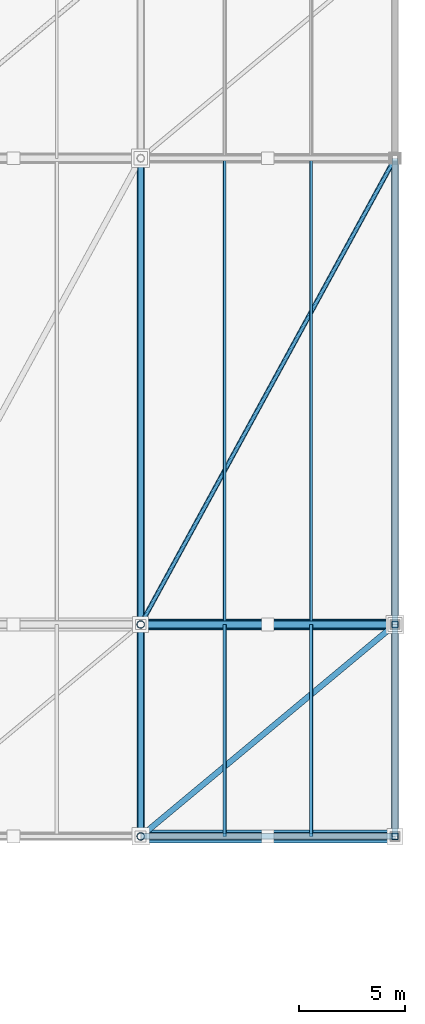
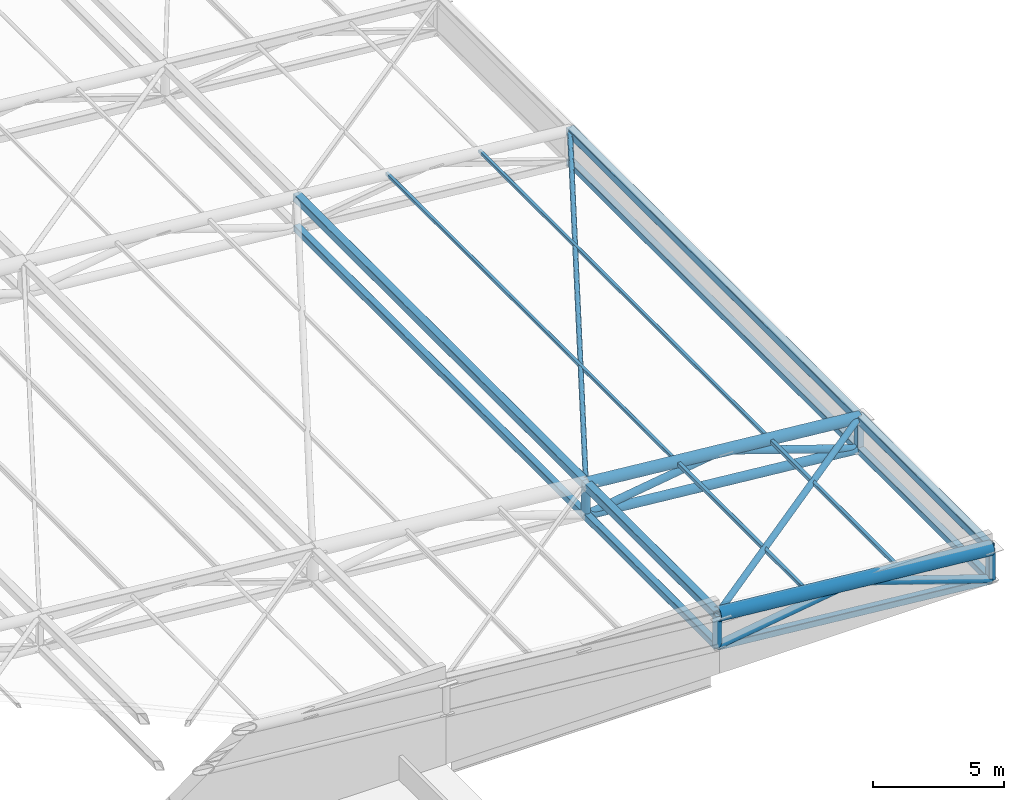
# One storey, part 20 of 44: 26 members.
"""IFC4 building model written with IfcOpenShell, lengths in metres."""

from ifc_helpers import new_model, si_unit, direction, frame, origin, origin_2d, place, context, subcontext, project, spatial, hollow_rectangle, hollow_circle, extrude, material, material_profile, profile_set, type_object, element, save


model = new_model("IFC4")

# Units and contexts
model_context = context("Model", 3, precision=1e-05, world=origin(), true_north=direction((0.0, 1.0)))
body_context = subcontext(model_context, "Body", "Model", "MODEL_VIEW")
ifc_project = project(units=[si_unit("LENGTHUNIT", "METRE"), si_unit("AREAUNIT", "SQUARE_METRE"), si_unit("VOLUMEUNIT", "CUBIC_METRE"), si_unit("PLANEANGLEUNIT", "RADIAN"), si_unit("MASSUNIT", "GRAM", prefix="KILO")], contexts=[model_context])

# Site, building, storey
site_placement = place(None, origin())
site = spatial("IfcSite", under=ifc_project, at=site_placement, CompositionType="ELEMENT")
building_placement = place(site_placement, origin())
building = spatial("IfcBuilding", under=site, at=building_placement, Name="Brinegate Civic Arena", CompositionType="ELEMENT")
storey_placement = place(building_placement, frame((0.0, 0.0, 29.39990234375)))
storey = spatial("IfcBuildingStorey", under=building, at=storey_placement, Name="RF", CompositionType="ELEMENT", Elevation=29.39990234375)

# Members
ifc_material = material(Name="Steel S355", Category="steel")
ifc_material_profile_1 = material_profile(ifc_material, hollow_rectangle(XDim=0.139892578125, YDim=0.139892578125, WallThickness=0.008056640625, InnerFilletRadius=0.008056640625, OuterFilletRadius=0.01611328125, at=origin_2d()), Name="SHS140X8")
ifc_profile_set_1 = profile_set([ifc_material_profile_1], Name="Steel S355")
member_type_1 = type_object("IfcMemberType", Name="RF-PURLIN-SHS140", PredefinedType="PURLIN", material=ifc_profile_set_1)
for number, where, z_axis, x_axis, name in (
    (1, (147.9599609375, 20.0, 2.34912109375), (0.0, 1.0, 0.0), (-1.0, 0.0, 0.0), "Roof Purlin RFP-035"),
    (2, (152.0400390625, 20.0, 1.966064453125), (0.0, 1.0, 0.0), (-1.0, 0.0, 0.0), "Roof Purlin RFP-036"),
):
    element("IfcMember", number, at=place(storey_placement, frame(where, z_axis=z_axis, x_axis=x_axis)), inside=storey, type_object=member_type_1, Name=name, PredefinedType="PURLIN", context=body_context, shape_type="SweptSolid", body=[
        extrude(hollow_rectangle(XDim=0.139892578125, YDim=0.139892578125, WallThickness=0.008056640625, InnerFilletRadius=0.008056640625, OuterFilletRadius=0.01611328125, at=origin_2d()), origin(), (0.0, 0.0, 1.0), 22.0),
    ])
ifc_material_profile_2 = material_profile(ifc_material, hollow_rectangle(XDim=0.159912109375, YDim=0.159912109375, WallThickness=0.008056640625, InnerFilletRadius=0.008056640625, OuterFilletRadius=0.01611328125, at=origin_2d()), Name="SHS160X8")
ifc_profile_set_2 = profile_set([ifc_material_profile_2], Name="Steel S355")
member_type_2 = type_object("IfcMemberType", Name="RF-PURLIN-SHS160", PredefinedType="PURLIN", material=ifc_profile_set_2)
for number, where, z_axis, x_axis, name in (
    (3, (147.9599609375, 10.0, 2.339111328125), (0.0, 1.0, 0.0), (-1.0, 0.0, 0.0), "Roof Purlin RFP-017"),
    (4, (152.0400390625, 10.0, 1.9560546875), (0.0, 1.0, 0.0), (-1.0, 0.0, 0.0), "Roof Purlin RFP-018"),
):
    element("IfcMember", number, at=place(storey_placement, frame(where, z_axis=z_axis, x_axis=x_axis)), inside=storey, type_object=member_type_2, Name=name, PredefinedType="PURLIN", context=body_context, shape_type="SweptSolid", body=[
        extrude(hollow_rectangle(XDim=0.159912109375, YDim=0.159912109375, WallThickness=0.008056640625, InnerFilletRadius=0.008056640625, OuterFilletRadius=0.01611328125, at=origin_2d()), origin(), (0.0, 0.0, 1.0), 10.0),
    ])
ifc_material_profile_3 = material_profile(ifc_material, hollow_circle(Radius=0.109619140625, WallThickness=0.010009765625, at=origin_2d()), Name="CHS219X10")
ifc_profile_set_3 = profile_set([ifc_material_profile_3], Name="Steel S355")
member_type_3 = type_object("IfcMemberType", Name="SF-BRACE-CHS219", PredefinedType="BRACE", material=ifc_profile_set_3)
member_1_placement = place(storey_placement, frame((144.0, 20.0, 2.675048828125), z_axis=(0.478370337109, 0.877012284699, -0.044847219104), x_axis=(-0.877895572914, 0.478852130681, 0.0)))
element("IfcMember", 5, at=member_1_placement, inside=storey, type_object=member_type_3, Name="Roof Plan Diagonal Brace PL-2-9", PredefinedType="BRACE", context=body_context, shape_type="SweptSolid", body=[
    extrude(hollow_circle(Radius=0.109619140625, WallThickness=0.010009765625, at=origin_2d()), origin(), (0.0, 0.0, 1.0), 25.085205078125),
])
ifc_material_profile_4 = material_profile(ifc_material, hollow_circle(Radius=0.136474609375, WallThickness=0.011962890625, at=origin_2d()), Name="CHS273X12")
ifc_profile_set_4 = profile_set([ifc_material_profile_4], Name="Steel S355")
member_type_4 = type_object("IfcMemberType", Name="SF-BRACE-CHS273", PredefinedType="BRACE", material=ifc_profile_set_4)
member_2_placement = place(storey_placement, frame((144.0, 10.0, 2.675048828125), z_axis=(0.766236619907, 0.638530516589, -0.071834683116), x_axis=(-0.640184399664, 0.768221279597, 0.0)))
element("IfcMember", 6, at=member_2_placement, inside=storey, type_object=member_type_4, Name="Roof Plan Diagonal Brace PL-1-9", PredefinedType="BRACE", context=body_context, shape_type="SweptSolid", body=[
    extrude(hollow_circle(Radius=0.136474609375, WallThickness=0.011962890625, at=origin_2d()), origin(), (0.0, 0.0, 1.0), 15.660888671875),
])
ifc_material_profile_5 = material_profile(ifc_material, hollow_circle(Radius=0.162109375, WallThickness=0.011962890625, at=origin_2d()), Name="CHS324X12")
ifc_profile_set_5 = profile_set([ifc_material_profile_5], Name="Steel S355")
member_type_5 = type_object("IfcMemberType", Name="SF-BRACE-CHS324", PredefinedType="BRACE", material=ifc_profile_set_5)
member_3_placement = place(storey_placement, frame((144.0, 20.0, 1.22509765625), z_axis=(0.989226142737, 0.0, 0.1463954867), x_axis=(0.0, 1.0, 0.0)))
element("IfcMember", 7, at=member_3_placement, inside=storey, type_object=member_type_5, Name="Space Frame Web Brace D1-2-9", PredefinedType="BRACE", context=body_context, shape_type="SweptSolid", body=[
    extrude(hollow_circle(Radius=0.162109375, WallThickness=0.011962890625, at=origin_2d()), origin(), (0.0, 0.0, 1.0), 6.0654296875),
])
member_4_placement = place(storey_placement, frame((150.0, 20.0, 2.113037109375), z_axis=(0.948068139281, 0.0, -0.318067293635), x_axis=(0.0, 1.0, 0.0)))
element("IfcMember", 8, at=member_4_placement, inside=storey, type_object=member_type_5, Name="Space Frame Web Brace D2-2-9", PredefinedType="BRACE", context=body_context, shape_type="SweptSolid", body=[
    extrude(hollow_circle(Radius=0.162109375, WallThickness=0.011962890625, at=origin_2d()), origin(), (0.0, 0.0, 1.0), 6.32861328125),
])
ifc_material_profile_6 = material_profile(ifc_material, hollow_circle(Radius=0.177978515625, WallThickness=0.013916015625, at=origin_2d()), Name="CHS356X14")
ifc_profile_set_6 = profile_set([ifc_material_profile_6], Name="Steel S355")
member_type_6 = type_object("IfcMemberType", Name="SF-BRACE-CHS356", PredefinedType="BRACE", material=ifc_profile_set_6)
member_5_placement = place(storey_placement, frame((144.0, 10.0, 1.22509765625), z_axis=(0.989226142737, 0.0, 0.1463954867), x_axis=(0.0, 1.0, 0.0)))
element("IfcMember", 9, at=member_5_placement, inside=storey, type_object=member_type_6, Name="Space Frame Web Brace D1-1-9", PredefinedType="BRACE", context=body_context, shape_type="SweptSolid", body=[
    extrude(hollow_circle(Radius=0.177978515625, WallThickness=0.013916015625, at=origin_2d()), origin(), (0.0, 0.0, 1.0), 6.0654296875),
])
member_6_placement = place(storey_placement, frame((150.0, 10.0, 2.113037109375), z_axis=(0.948068139281, 0.0, -0.318067293635), x_axis=(0.0, 1.0, 0.0)))
element("IfcMember", 10, at=member_6_placement, inside=storey, type_object=member_type_6, Name="Space Frame Web Brace D2-1-9", PredefinedType="BRACE", context=body_context, shape_type="SweptSolid", body=[
    extrude(hollow_circle(Radius=0.177978515625, WallThickness=0.013916015625, at=origin_2d()), origin(), (0.0, 0.0, 1.0), 6.32861328125),
])
ifc_material_profile_7 = material_profile(ifc_material, hollow_circle(Radius=0.202880859375, WallThickness=0.01611328125, at=origin_2d()), Name="CHS406X16")
ifc_profile_set_7 = profile_set([ifc_material_profile_7], Name="Steel S355")
member_type_7 = type_object("IfcMemberType", Name="SF-CHORD-CHS406", PredefinedType="CHORD", material=ifc_profile_set_7)
member_7_placement = place(storey_placement, frame((144.0, 20.0, 1.22509765625), z_axis=(0.995634226059, 0.0, -0.093340708693), x_axis=(0.0, 1.0, 0.0)))
element("IfcMember", 11, at=member_7_placement, inside=storey, type_object=member_type_7, Name="Space Frame Bottom Chord BX-2-9", PredefinedType="CHORD", context=body_context, shape_type="SweptSolid", body=[
    extrude(hollow_circle(Radius=0.202880859375, WallThickness=0.01611328125, at=origin_2d()), origin(), (0.0, 0.0, 1.0), 12.052734375),
])
ifc_material_profile_8 = material_profile(ifc_material, hollow_circle(Radius=0.25390625, WallThickness=0.02001953125, at=origin_2d()), Name="CHS508X20")
ifc_profile_set_8 = profile_set([ifc_material_profile_8], Name="Steel S355")
member_type_8 = type_object("IfcMemberType", Name="SF-CHORD-CHS508", PredefinedType="CHORD", material=ifc_profile_set_8)
member_8_placement = place(storey_placement, frame((144.0, 20.0, 2.675048828125), z_axis=(0.995634226059, 0.0, -0.093340708693), x_axis=(0.0, 1.0, 0.0)))
element("IfcMember", 12, at=member_8_placement, inside=storey, type_object=member_type_8, Name="Space Frame Top Chord TX-2-9", PredefinedType="CHORD", context=body_context, shape_type="SweptSolid", body=[
    extrude(hollow_circle(Radius=0.25390625, WallThickness=0.02001953125, at=origin_2d()), origin(), (0.0, 0.0, 1.0), 12.052734375),
])
ifc_material_profile_9 = material_profile(ifc_material, hollow_circle(Radius=0.304931640625, WallThickness=0.02490234375, at=origin_2d()), Name="CHS610X25")
ifc_profile_set_9 = profile_set([ifc_material_profile_9], Name="Steel S355")
member_type_9 = type_object("IfcMemberType", Name="SF-CHORD-CHS610", PredefinedType="CHORD", material=ifc_profile_set_9)
member_9_placement = place(storey_placement, frame((144.0, 10.0, 2.675048828125), z_axis=(0.995634226059, 0.0, -0.093340708693), x_axis=(0.0, 1.0, 0.0)))
element("IfcMember", 13, at=member_9_placement, inside=storey, type_object=member_type_9, Name="Space Frame Top Chord TX-1-9", PredefinedType="CHORD", context=body_context, shape_type="SweptSolid", body=[
    extrude(hollow_circle(Radius=0.304931640625, WallThickness=0.02490234375, at=origin_2d()), origin(), (0.0, 0.0, 1.0), 12.052734375),
])
ifc_material_profile_10 = material_profile(ifc_material, hollow_rectangle(XDim=0.300048828125, YDim=0.300048828125, WallThickness=0.01611328125, InnerFilletRadius=0.01611328125, OuterFilletRadius=0.031982421875, at=origin_2d()), Name="SHS300X16")
ifc_profile_set_10 = profile_set([ifc_material_profile_10], Name="Steel S355")
member_type_10 = type_object("IfcMemberType", Name="SF-CHORD-SHS300", PredefinedType="CHORD", material=ifc_profile_set_10)
member_10_placement = place(storey_placement, frame((144.0, 10.0, 1.22509765625), z_axis=(0.995634226059, 0.0, -0.093340708693), x_axis=(0.0, 1.0, 0.0)))
element("IfcMember", 14, at=member_10_placement, inside=storey, type_object=member_type_10, Name="Space Frame Bottom Chord BX-1-9", PredefinedType="CHORD", context=body_context, shape_type="SweptSolid", body=[
    extrude(hollow_rectangle(XDim=0.300048828125, YDim=0.300048828125, WallThickness=0.01611328125, InnerFilletRadius=0.01611328125, OuterFilletRadius=0.031982421875, at=origin_2d()), origin(), (0.0, 0.0, 1.0), 12.052734375),
])
for number, where, z_axis, x_axis, name in (
    (15, (144.0, 10.0, 1.22509765625), (0.0, 1.0, 0.0), (-1.0, 0.0, 0.0), "Space Frame Cross Bottom Chord BY-1-9"),
    (16, (156.0, 10.0, 0.10009765625), (0.0, 1.0, 0.0), (-1.0, 0.0, 0.0), "Space Frame Cross Bottom Chord BY-1-10"),
):
    element("IfcMember", number, at=place(storey_placement, frame(where, z_axis=z_axis, x_axis=x_axis)), inside=storey, type_object=member_type_10, Name=name, PredefinedType="CHORD", context=body_context, shape_type="SweptSolid", body=[
        extrude(hollow_rectangle(XDim=0.300048828125, YDim=0.300048828125, WallThickness=0.01611328125, InnerFilletRadius=0.01611328125, OuterFilletRadius=0.031982421875, at=origin_2d()), origin(), (0.0, 0.0, 1.0), 10.0),
    ])
for number, where, z_axis, x_axis, name in (
    (17, (144.0, 20.0, 1.22509765625), (0.0, 1.0, 0.0), (-1.0, 0.0, 0.0), "Space Frame Cross Bottom Chord BY-2-9"),
    (18, (156.0, 20.0, 0.10009765625), (0.0, 1.0, 0.0), (-1.0, 0.0, 0.0), "Space Frame Cross Bottom Chord BY-2-10"),
):
    element("IfcMember", number, at=place(storey_placement, frame(where, z_axis=z_axis, x_axis=x_axis)), inside=storey, type_object=member_type_10, Name=name, PredefinedType="CHORD", context=body_context, shape_type="SweptSolid", body=[
        extrude(hollow_rectangle(XDim=0.300048828125, YDim=0.300048828125, WallThickness=0.01611328125, InnerFilletRadius=0.01611328125, OuterFilletRadius=0.031982421875, at=origin_2d()), origin(), (0.0, 0.0, 1.0), 22.0),
    ])
ifc_material_profile_11 = material_profile(ifc_material, hollow_rectangle(XDim=0.35009765625, YDim=0.35009765625, WallThickness=0.01611328125, InnerFilletRadius=0.01611328125, OuterFilletRadius=0.031982421875, at=origin_2d()), Name="SHS350X16")
ifc_profile_set_11 = profile_set([ifc_material_profile_11], Name="Steel S355")
member_type_11 = type_object("IfcMemberType", Name="SF-CHORD-SHS350", PredefinedType="CHORD", material=ifc_profile_set_11)
for number, where, z_axis, x_axis, name in (
    (19, (144.0, 10.0, 2.675048828125), (0.0, 1.0, 0.0), (-1.0, 0.0, 0.0), "Space Frame Cross Top Chord TY-1-9"),
    (20, (156.0, 10.0, 1.550048828125), (0.0, 1.0, 0.0), (-1.0, 0.0, 0.0), "Space Frame Cross Top Chord TY-1-10"),
):
    element("IfcMember", number, at=place(storey_placement, frame(where, z_axis=z_axis, x_axis=x_axis)), inside=storey, type_object=member_type_11, Name=name, PredefinedType="CHORD", context=body_context, shape_type="SweptSolid", body=[
        extrude(hollow_rectangle(XDim=0.35009765625, YDim=0.35009765625, WallThickness=0.01611328125, InnerFilletRadius=0.01611328125, OuterFilletRadius=0.031982421875, at=origin_2d()), origin(), (0.0, 0.0, 1.0), 10.0),
    ])
for number, where, z_axis, x_axis, name in (
    (21, (144.0, 20.0, 2.675048828125), (0.0, 1.0, 0.0), (-1.0, 0.0, 0.0), "Space Frame Cross Top Chord TY-2-9"),
    (22, (156.0, 20.0, 1.550048828125), (0.0, 1.0, 0.0), (-1.0, 0.0, 0.0), "Space Frame Cross Top Chord TY-2-10"),
):
    element("IfcMember", number, at=place(storey_placement, frame(where, z_axis=z_axis, x_axis=x_axis)), inside=storey, type_object=member_type_11, Name=name, PredefinedType="CHORD", context=body_context, shape_type="SweptSolid", body=[
        extrude(hollow_rectangle(XDim=0.35009765625, YDim=0.35009765625, WallThickness=0.01611328125, InnerFilletRadius=0.01611328125, OuterFilletRadius=0.031982421875, at=origin_2d()), origin(), (0.0, 0.0, 1.0), 22.0),
    ])
ifc_material_profile_12 = material_profile(ifc_material, hollow_circle(Radius=0.177978515625, WallThickness=0.013916015625, at=origin_2d()), Name="CHS356X14")
ifc_profile_set_12 = profile_set([ifc_material_profile_12], Name="Steel S355")
member_type_12 = type_object("IfcMemberType", Name="SF-STRUT-CHS356", PredefinedType="STRUT", material=ifc_profile_set_12)
for number, where, z_axis, x_axis, name in (
    (23, (144.0, 10.0, 1.22509765625), (0.0, 0.0, 1.0), (1.0, 0.0, 0.0), "Space Frame Vertical Post V-1-9"),
    (24, (144.0, 20.0, 1.22509765625), (0.0, 0.0, 1.0), (1.0, 0.0, 0.0), "Space Frame Vertical Post V-2-9"),
):
    element("IfcMember", number, at=place(storey_placement, frame(where, z_axis=z_axis, x_axis=x_axis)), inside=storey, type_object=member_type_12, Name=name, PredefinedType="STRUT", context=body_context, shape_type="SweptSolid", body=[
        extrude(hollow_circle(Radius=0.177978515625, WallThickness=0.013916015625, at=origin_2d()), origin(), (0.0, 0.0, 1.0), 1.449951171875),
    ])
ifc_material_profile_13 = material_profile(ifc_material, hollow_rectangle(XDim=0.300048828125, YDim=0.300048828125, WallThickness=0.01611328125, InnerFilletRadius=0.01611328125, OuterFilletRadius=0.031982421875, at=origin_2d()), Name="SHS300X16")
ifc_profile_set_13 = profile_set([ifc_material_profile_13], Name="Steel S355")
member_type_13 = type_object("IfcMemberType", Name="SF-STRUT-SHS300", PredefinedType="STRUT", material=ifc_profile_set_13)
for number, where, z_axis, x_axis, name in (
    (25, (156.0, 10.0, 0.10009765625), (0.0, 0.0, 1.0), (1.0, 0.0, 0.0), "Space Frame Vertical Post V-1-10"),
    (26, (156.0, 20.0, 0.10009765625), (0.0, 0.0, 1.0), (1.0, 0.0, 0.0), "Space Frame Vertical Post V-2-10"),
):
    element("IfcMember", number, at=place(storey_placement, frame(where, z_axis=z_axis, x_axis=x_axis)), inside=storey, type_object=member_type_13, Name=name, PredefinedType="STRUT", context=body_context, shape_type="SweptSolid", body=[
        extrude(hollow_rectangle(XDim=0.300048828125, YDim=0.300048828125, WallThickness=0.01611328125, InnerFilletRadius=0.01611328125, OuterFilletRadius=0.031982421875, at=origin_2d()), origin(), (0.0, 0.0, 1.0), 1.449951171875),
    ])

save(model, "model.ifc")
